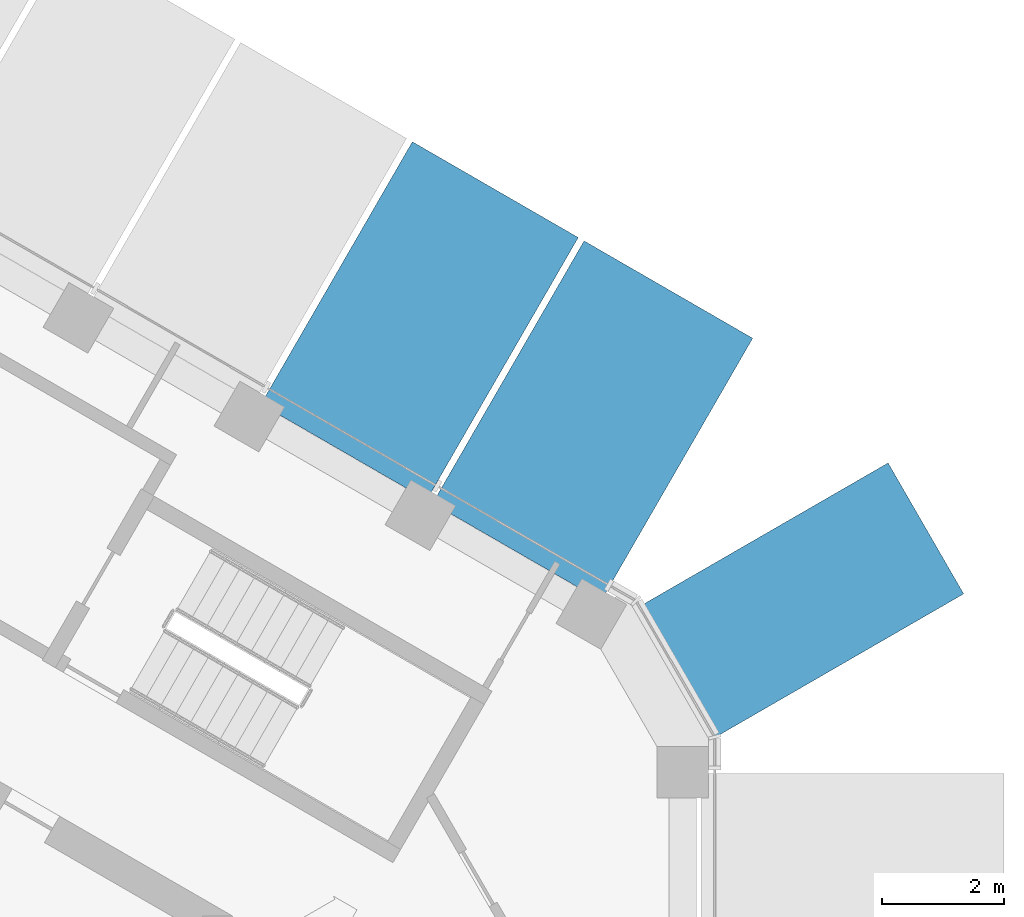
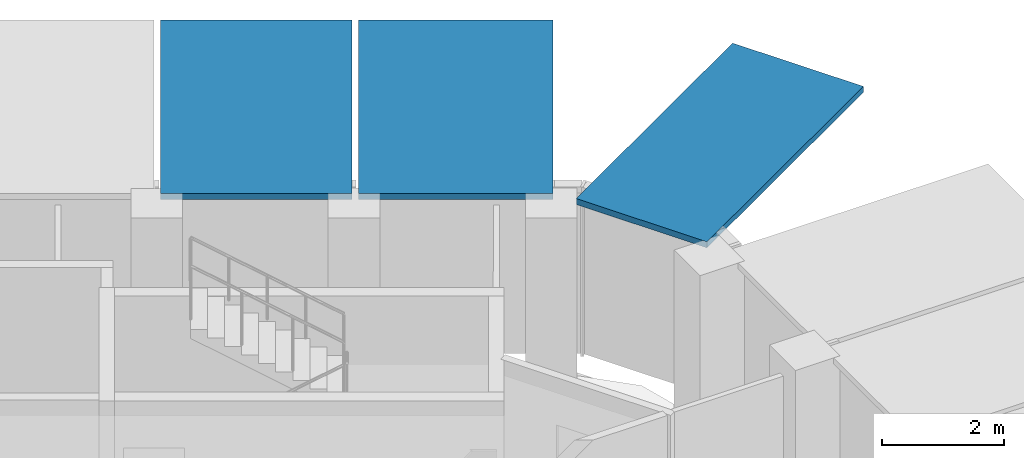
# One storey, part 15 of 17: 3 discrete accessories.
"""IFC4 building model written with IfcOpenShell, lengths in metres."""

from ifc_helpers import new_model, si_unit, direction, frame, origin, origin_2d, place, context, subcontext, project, spatial, rectangle, extrude, material, layer, layer_set, type_object, element, save


model = new_model("IFC4")

# Units and contexts
model_context = context("Model", 3, precision=1e-05, world=origin(), true_north=direction((0.0, 1.0)))
body_context = subcontext(model_context, "Body", "Model", "MODEL_VIEW")
ifc_project = project(units=[si_unit("LENGTHUNIT", "METRE"), si_unit("AREAUNIT", "SQUARE_METRE"), si_unit("VOLUMEUNIT", "CUBIC_METRE"), si_unit("PLANEANGLEUNIT", "RADIAN"), si_unit("MASSUNIT", "GRAM", prefix="KILO")], contexts=[model_context])

# Site, building, storey
site_placement = place(None, origin())
site = spatial("IfcSite", under=ifc_project, at=site_placement, CompositionType="ELEMENT")
building_placement = place(site_placement, origin())
building = spatial("IfcBuilding", under=site, at=building_placement, Name="Ayvan Gate Tower", CompositionType="ELEMENT")
storey_placement = place(building_placement, frame((0.0, 0.0, 225.699951171875)))
storey = spatial("IfcBuildingStorey", under=building, at=storey_placement, Name="L60", CompositionType="ELEMENT", Elevation=225.699951171875)

# Discrete accessories
ifc_material = material(Name="Stainless steel 316", Category="steel")
ifc_layer = layer(ifc_material, 0.1201171875)
ifc_layer_set = layer_set([ifc_layer], Name="Stainless steel 316")
discrete_accessory_type = type_object("IfcDiscreteAccessoryType", Name="Fin carrier bracket", PredefinedType="BRACKET", material=ifc_layer_set)
discrete_accessory_1_placement = place(storey_placement, frame((12.567626953125, 15.257080078125, 3.280029296875), z_axis=(0.0, 0.0, 1.0), x_axis=(-0.866025403784, 0.5, 0.0)))
element("IfcDiscreteAccessory", 1, at=discrete_accessory_1_placement, inside=storey, type_object=discrete_accessory_type, Name="Fin carrier 728", PredefinedType="BRACKET", context=body_context, shape_type="SweptSolid", body=[
    extrude(rectangle(XDim=3.14501953125, YDim=4.97509765625, at=origin_2d()), origin(), (0.0, 0.0, 1.0), 0.1201171875),
])
discrete_accessory_2_placement = place(storey_placement, frame((15.4091796875, 13.61669921875, 3.280029296875), z_axis=(0.0, 0.0, 1.0), x_axis=(-0.866025403784, 0.5, 0.0)))
element("IfcDiscreteAccessory", 2, at=discrete_accessory_2_placement, inside=storey, type_object=discrete_accessory_type, Name="Fin carrier 781", PredefinedType="BRACKET", context=body_context, shape_type="SweptSolid", body=[
    extrude(rectangle(XDim=3.197021484375, YDim=4.97509765625, at=origin_2d()), origin(), (0.0, 0.0, 1.0), 0.1201171875),
])
discrete_accessory_3_placement = place(storey_placement, frame((18.65380859375, 10.564208984375, 3.280029296875), z_axis=(0.0, 0.0, 1.0), x_axis=(-0.5, 0.866025403784, 0.0)))
element("IfcDiscreteAccessory", 3, at=discrete_accessory_3_placement, inside=storey, type_object=discrete_accessory_type, Name="Fin carrier 834", PredefinedType="BRACKET", context=body_context, shape_type="SweptSolid", body=[
    extrude(rectangle(XDim=2.482666015625, YDim=5.14208984375, at=origin_2d()), origin(), (0.0, 0.0, 1.0), 0.1201171875),
])

save(model, "model.ifc")
